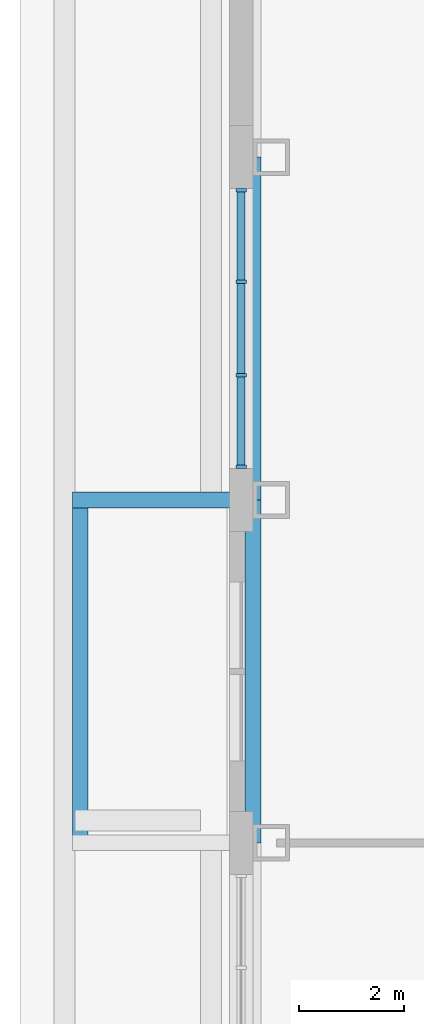
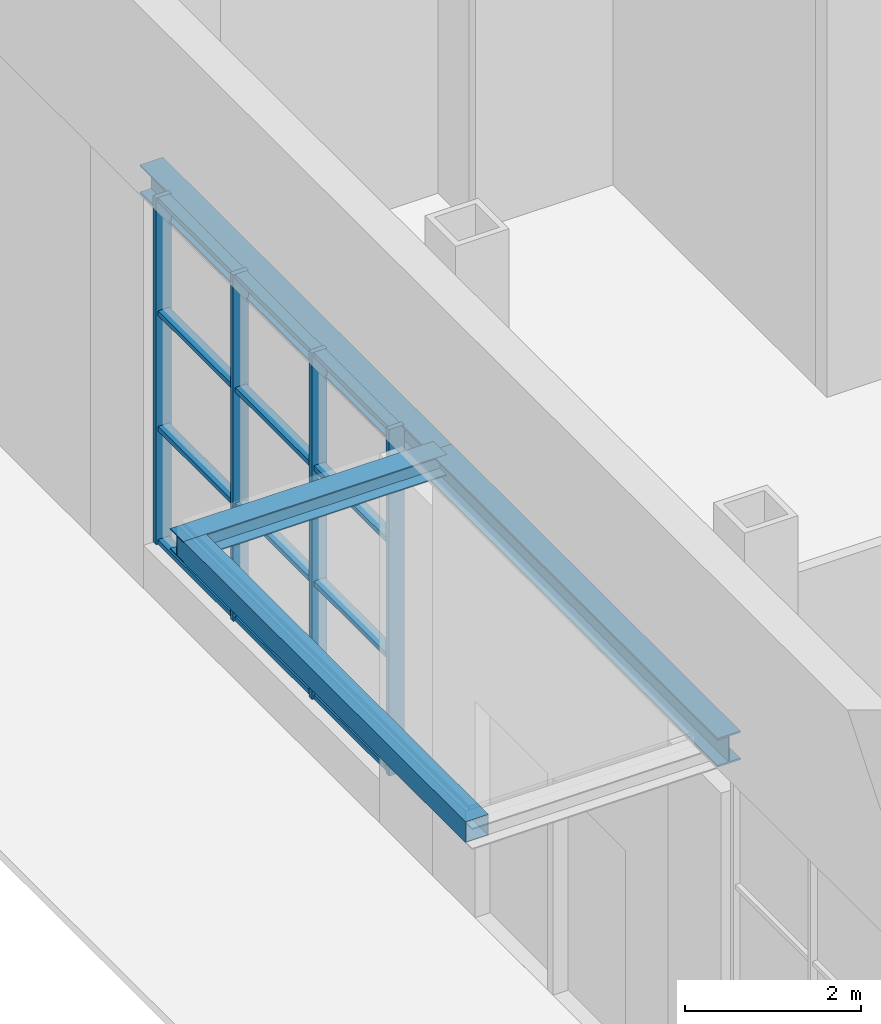
# One storey, part 6 of 34: 16 members, 4 beams, 1 element without a shape of its own.
"""IFC4 building model written with IfcOpenShell, lengths in metres."""

from ifc_helpers import new_model, si_unit, direction, frame, origin, origin_2d, place, context, subcontext, project, spatial, rectangle, hollow_rectangle, i_section, extrude, material, layer, layer_set, material_profile, profile_set, type_object, element, aggregate, save


model = new_model("IFC4")

# Units and contexts
model_context = context("Model", 3, precision=1e-05, world=origin(), true_north=direction((0.0, 1.0)))
body_context = subcontext(model_context, "Body", "Model", "MODEL_VIEW")
ifc_project = project(units=[si_unit("LENGTHUNIT", "METRE"), si_unit("AREAUNIT", "SQUARE_METRE"), si_unit("VOLUMEUNIT", "CUBIC_METRE"), si_unit("PLANEANGLEUNIT", "RADIAN"), si_unit("MASSUNIT", "GRAM", prefix="KILO")], contexts=[model_context])

# Site, building, storey
site_placement = place(None, origin())
site = spatial("IfcSite", under=ifc_project, at=site_placement, CompositionType="ELEMENT")
building_placement = place(site_placement, origin())
building = spatial("IfcBuilding", under=site, at=building_placement, Name="Njiva Tower", CompositionType="ELEMENT")
storey_placement = place(building_placement, origin())
storey = spatial("IfcBuildingStorey", under=building, at=storey_placement, Name="L00", CompositionType="ELEMENT", Elevation=0.0)

# Beams
ifc_material_1 = material(Name="Steel S355 J2", Category="steel")
ifc_material_profile_1 = material_profile(ifc_material_1, i_section(OverallWidth=0.3, OverallDepth=0.29, WebThickness=0.0085, FlangeThickness=0.014, at=origin_2d()), Name="HEA300")
ifc_profile_set_1 = profile_set([ifc_material_profile_1], Name="Steel S355 J2")
beam_type_1 = type_object("IfcBeamType", Name="B90 Canopy cantilever beam HEA 300", PredefinedType="BEAM", material=ifc_profile_set_1)
beam_1_placement = place(storey_placement, frame((-38.55, -13.35, 5.255), z_axis=(-1.0, 0.0, 0.0), x_axis=(0.0, -1.0, 0.0)))
element("IfcBeam", 1, at=beam_1_placement, inside=storey, type_object=beam_type_1, Name="Canopy beam", PredefinedType="BEAM", context=body_context, shape_type="SweptSolid", body=[
    extrude(i_section(OverallWidth=0.3, OverallDepth=0.29, WebThickness=0.0085, FlangeThickness=0.014, at=origin_2d()), origin(), (0.0, 0.0, 1.0), 3.45),
])
ifc_material_2 = material(Name="Steel S355 J2H", Category="steel")
ifc_material_profile_2 = material_profile(ifc_material_2, hollow_rectangle(XDim=0.3, YDim=0.29, WallThickness=0.01, at=origin_2d()), Name="BOX 290x300x10")
ifc_profile_set_2 = profile_set([ifc_material_profile_2], Name="Steel S355 J2H")
beam_type_2 = type_object("IfcBeamType", Name="B91 Canopy tip beam RHS 290x300x10", PredefinedType="BEAM", material=ifc_profile_set_2)
beam_2_placement = place(storey_placement, frame((-41.85, -13.35, 5.255), z_axis=(0.0, -1.0, 0.0), x_axis=(1.0, 0.0, 0.0)))
element("IfcBeam", 2, at=beam_2_placement, inside=storey, type_object=beam_type_2, Name="Canopy tip beam", PredefinedType="BEAM", context=body_context, shape_type="SweptSolid", body=[
    extrude(hollow_rectangle(XDim=0.3, YDim=0.29, WallThickness=0.01, at=origin_2d()), origin(), (0.0, 0.0, 1.0), 6.55),
])
ifc_material_profile_3 = material_profile(ifc_material_1, i_section(OverallWidth=0.3, OverallDepth=0.4, WebThickness=0.0135, FlangeThickness=0.024, at=origin_2d()), Name="HEB400")
ifc_profile_set_3 = profile_set([ifc_material_profile_3], Name="Steel S355 J2")
beam_type_3 = type_object("IfcBeamType", Name="B92 Podium lintel beam HEB 400", PredefinedType="BEAM", material=ifc_profile_set_3)
for number, where, z_axis, x_axis, name in (
    (3, (-38.55, -6.8, 5.2), (0.0, -1.0, 0.0), (1.0, 0.0, 0.0), "Podium lintel beam"),
    (4, (-38.55, -13.35, 5.2), (0.0, -1.0, 0.0), (1.0, 0.0, 0.0), "Podium lintel beam"),
):
    element("IfcBeam", number, at=place(storey_placement, frame(where, z_axis=z_axis, x_axis=x_axis)), inside=storey, type_object=beam_type_3, Name=name, PredefinedType="BEAM", context=body_context, shape_type="SweptSolid", body=[
        extrude(i_section(OverallWidth=0.3, OverallDepth=0.4, WebThickness=0.0135, FlangeThickness=0.024, at=origin_2d()), origin(), (0.0, 0.0, 1.0), 6.55),
    ])

# Curtain wall, members
ifc_material_3 = material(Name="Glazed curtain wall", Category="glass")
ifc_layer = layer(ifc_material_3, 0.2)
ifc_layer_set = layer_set([ifc_layer], Name="Glazed curtain wall")
curtain_wall_type = type_object("IfcCurtainWallType", Name="CW1 Shopfront glazing", PredefinedType="NOTDEFINED", material=ifc_layer_set)
curtain_wall_placement = place(storey_placement, origin())
curtain_wall = element("IfcCurtainWall", 5, at=curtain_wall_placement, inside=storey, type_object=curtain_wall_type, Name="Shopfront W5", PredefinedType="NOTDEFINED")
ifc_material_4 = material(Name="Aluminium mullion", Category="aluminium")
ifc_material_profile_4 = material_profile(ifc_material_4, rectangle(XDim=0.2, YDim=0.065, at=origin_2d()), Name="RECT 200x65")
ifc_profile_set_4 = profile_set([ifc_material_profile_4], Name="Aluminium mullion")
member_type_1 = type_object("IfcMemberType", Name="CW1-M Shopfront mullion 200x65", PredefinedType="MULLION", material=ifc_profile_set_4)
member_1_placement = place(storey_placement, frame((-38.775, -7.4325, 0.6), z_axis=(0.0, 0.0, 1.0), x_axis=(1.0, 0.0, 0.0)))
member_1 = element("IfcMember", 6, at=member_1_placement, type_object=member_type_1, Name="CW1-W5 mullion 1", PredefinedType="MULLION", context=body_context, shape_type="SweptSolid", body=[
    extrude(rectangle(XDim=0.2, YDim=0.065, at=origin_2d()), origin(), (0.0, 0.0, 1.0), 4.8),
])
member_2_placement = place(storey_placement, frame((-38.775, -9.1833, 0.6), z_axis=(0.0, 0.0, 1.0), x_axis=(1.0, 0.0, 0.0)))
member_2 = element("IfcMember", 7, at=member_2_placement, type_object=member_type_1, Name="CW1-W5 mullion 2", PredefinedType="MULLION", context=body_context, shape_type="SweptSolid", body=[
    extrude(rectangle(XDim=0.2, YDim=0.065, at=origin_2d()), origin(), (0.0, 0.0, 1.0), 4.8),
])
member_3_placement = place(storey_placement, frame((-38.775, -10.9667, 0.6), z_axis=(0.0, 0.0, 1.0), x_axis=(1.0, 0.0, 0.0)))
member_3 = element("IfcMember", 8, at=member_3_placement, type_object=member_type_1, Name="CW1-W5 mullion 3", PredefinedType="MULLION", context=body_context, shape_type="SweptSolid", body=[
    extrude(rectangle(XDim=0.2, YDim=0.065, at=origin_2d()), origin(), (0.0, 0.0, 1.0), 4.8),
])
member_4_placement = place(storey_placement, frame((-38.775, -12.7175, 0.6), z_axis=(0.0, 0.0, 1.0), x_axis=(1.0, 0.0, 0.0)))
member_4 = element("IfcMember", 9, at=member_4_placement, type_object=member_type_1, Name="CW1-W5 mullion 4", PredefinedType="MULLION", context=body_context, shape_type="SweptSolid", body=[
    extrude(rectangle(XDim=0.2, YDim=0.065, at=origin_2d()), origin(), (0.0, 0.0, 1.0), 4.8),
])
ifc_material_5 = material(Name="Aluminium transom", Category="aluminium")
ifc_material_profile_5 = material_profile(ifc_material_5, rectangle(XDim=0.15, YDim=0.065, at=origin_2d()), Name="RECT 150x65")
ifc_profile_set_5 = profile_set([ifc_material_profile_5], Name="Aluminium transom")
member_type_2 = type_object("IfcMemberType", Name="CW1-T Shopfront transom 150x65", PredefinedType="USERDEFINED", material=ifc_profile_set_5)
member_5_placement = place(storey_placement, frame((-38.775, -7.465, 0.6325), z_axis=(0.0, -1.0, 0.0), x_axis=(1.0, 0.0, 0.0)))
member_5 = element("IfcMember", 10, at=member_5_placement, type_object=member_type_2, Name="CW1-W5 transom 1.1", ObjectType="TRANSOM", PredefinedType="USERDEFINED", context=body_context, shape_type="SweptSolid", body=[
    extrude(rectangle(XDim=0.15, YDim=0.065, at=origin_2d()), origin(), (0.0, 0.0, 1.0), 1.6858),
])
member_6_placement = place(storey_placement, frame((-38.775, -7.465, 2.2), z_axis=(0.0, -1.0, 0.0), x_axis=(1.0, 0.0, 0.0)))
member_6 = element("IfcMember", 11, at=member_6_placement, type_object=member_type_2, Name="CW1-W5 transom 1.2", ObjectType="TRANSOM", PredefinedType="USERDEFINED", context=body_context, shape_type="SweptSolid", body=[
    extrude(rectangle(XDim=0.15, YDim=0.065, at=origin_2d()), origin(), (0.0, 0.0, 1.0), 1.6858),
])
member_7_placement = place(storey_placement, frame((-38.775, -7.465, 3.8), z_axis=(0.0, -1.0, 0.0), x_axis=(1.0, 0.0, 0.0)))
member_7 = element("IfcMember", 12, at=member_7_placement, type_object=member_type_2, Name="CW1-W5 transom 1.3", ObjectType="TRANSOM", PredefinedType="USERDEFINED", context=body_context, shape_type="SweptSolid", body=[
    extrude(rectangle(XDim=0.15, YDim=0.065, at=origin_2d()), origin(), (0.0, 0.0, 1.0), 1.6858),
])
member_8_placement = place(storey_placement, frame((-38.775, -7.465, 5.3675), z_axis=(0.0, -1.0, 0.0), x_axis=(1.0, 0.0, 0.0)))
member_8 = element("IfcMember", 13, at=member_8_placement, type_object=member_type_2, Name="CW1-W5 transom 1.4", ObjectType="TRANSOM", PredefinedType="USERDEFINED", context=body_context, shape_type="SweptSolid", body=[
    extrude(rectangle(XDim=0.15, YDim=0.065, at=origin_2d()), origin(), (0.0, 0.0, 1.0), 1.6858),
])
member_9_placement = place(storey_placement, frame((-38.775, -9.2158, 0.6325), z_axis=(0.0, -1.0, 0.0), x_axis=(1.0, 0.0, 0.0)))
member_9 = element("IfcMember", 14, at=member_9_placement, type_object=member_type_2, Name="CW1-W5 transom 2.1", ObjectType="TRANSOM", PredefinedType="USERDEFINED", context=body_context, shape_type="SweptSolid", body=[
    extrude(rectangle(XDim=0.15, YDim=0.065, at=origin_2d()), origin(), (0.0, 0.0, 1.0), 1.7184),
])
member_10_placement = place(storey_placement, frame((-38.775, -9.2158, 2.2), z_axis=(0.0, -1.0, 0.0), x_axis=(1.0, 0.0, 0.0)))
member_10 = element("IfcMember", 15, at=member_10_placement, type_object=member_type_2, Name="CW1-W5 transom 2.2", ObjectType="TRANSOM", PredefinedType="USERDEFINED", context=body_context, shape_type="SweptSolid", body=[
    extrude(rectangle(XDim=0.15, YDim=0.065, at=origin_2d()), origin(), (0.0, 0.0, 1.0), 1.7184),
])
member_11_placement = place(storey_placement, frame((-38.775, -9.2158, 3.8), z_axis=(0.0, -1.0, 0.0), x_axis=(1.0, 0.0, 0.0)))
member_11 = element("IfcMember", 16, at=member_11_placement, type_object=member_type_2, Name="CW1-W5 transom 2.3", ObjectType="TRANSOM", PredefinedType="USERDEFINED", context=body_context, shape_type="SweptSolid", body=[
    extrude(rectangle(XDim=0.15, YDim=0.065, at=origin_2d()), origin(), (0.0, 0.0, 1.0), 1.7184),
])
member_12_placement = place(storey_placement, frame((-38.775, -9.2158, 5.3675), z_axis=(0.0, -1.0, 0.0), x_axis=(1.0, 0.0, 0.0)))
member_12 = element("IfcMember", 17, at=member_12_placement, type_object=member_type_2, Name="CW1-W5 transom 2.4", ObjectType="TRANSOM", PredefinedType="USERDEFINED", context=body_context, shape_type="SweptSolid", body=[
    extrude(rectangle(XDim=0.15, YDim=0.065, at=origin_2d()), origin(), (0.0, 0.0, 1.0), 1.7184),
])
member_13_placement = place(storey_placement, frame((-38.775, -10.9992, 0.6325), z_axis=(0.0, -1.0, 0.0), x_axis=(1.0, 0.0, 0.0)))
member_13 = element("IfcMember", 18, at=member_13_placement, type_object=member_type_2, Name="CW1-W5 transom 3.1", ObjectType="TRANSOM", PredefinedType="USERDEFINED", context=body_context, shape_type="SweptSolid", body=[
    extrude(rectangle(XDim=0.15, YDim=0.065, at=origin_2d()), origin(), (0.0, 0.0, 1.0), 1.6858),
])
member_14_placement = place(storey_placement, frame((-38.775, -10.9992, 2.2), z_axis=(0.0, -1.0, 0.0), x_axis=(1.0, 0.0, 0.0)))
member_14 = element("IfcMember", 19, at=member_14_placement, type_object=member_type_2, Name="CW1-W5 transom 3.2", ObjectType="TRANSOM", PredefinedType="USERDEFINED", context=body_context, shape_type="SweptSolid", body=[
    extrude(rectangle(XDim=0.15, YDim=0.065, at=origin_2d()), origin(), (0.0, 0.0, 1.0), 1.6858),
])
member_15_placement = place(storey_placement, frame((-38.775, -10.9992, 3.8), z_axis=(0.0, -1.0, 0.0), x_axis=(1.0, 0.0, 0.0)))
member_15 = element("IfcMember", 20, at=member_15_placement, type_object=member_type_2, Name="CW1-W5 transom 3.3", ObjectType="TRANSOM", PredefinedType="USERDEFINED", context=body_context, shape_type="SweptSolid", body=[
    extrude(rectangle(XDim=0.15, YDim=0.065, at=origin_2d()), origin(), (0.0, 0.0, 1.0), 1.6858),
])
member_16_placement = place(storey_placement, frame((-38.775, -10.9992, 5.3675), z_axis=(0.0, -1.0, 0.0), x_axis=(1.0, 0.0, 0.0)))
member_16 = element("IfcMember", 21, at=member_16_placement, type_object=member_type_2, Name="CW1-W5 transom 3.4", ObjectType="TRANSOM", PredefinedType="USERDEFINED", context=body_context, shape_type="SweptSolid", body=[
    extrude(rectangle(XDim=0.15, YDim=0.065, at=origin_2d()), origin(), (0.0, 0.0, 1.0), 1.6858),
])
aggregate(curtain_wall, [member_1, member_2, member_3, member_4, member_5, member_6, member_7, member_8, member_9, member_10, member_11, member_12, member_13, member_14, member_15, member_16])

save(model, "model.ifc")
